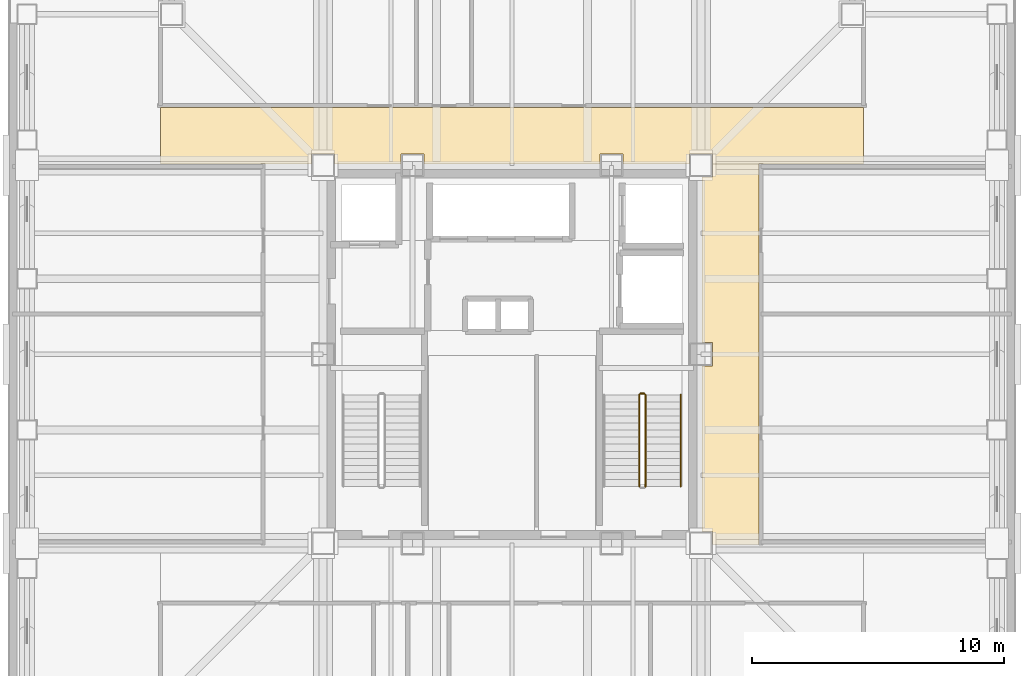
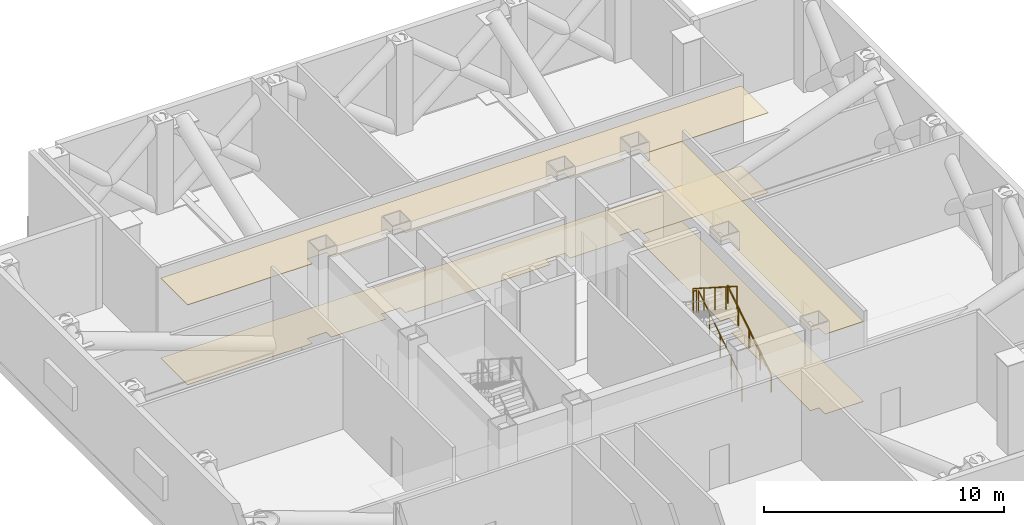
# One storey, part 9 of 10: 4 coverings, 4 railings.
"""IFC4 building model written with IfcOpenShell, lengths in metres."""

from ifc_helpers import new_model, si_unit, direction, frame, origin, origin_2d, place, context, subcontext, project, spatial, polyline, circle, outline, extrude, material, layer, layer_set, type_object, element, save


model = new_model("IFC4")

# Units and contexts
model_context = context("Model", 3, precision=1e-05, world=origin(), true_north=direction((0.0, 1.0)))
body_context = subcontext(model_context, "Body", "Model", "MODEL_VIEW")
ifc_project = project(units=[si_unit("LENGTHUNIT", "METRE"), si_unit("AREAUNIT", "SQUARE_METRE"), si_unit("VOLUMEUNIT", "CUBIC_METRE"), si_unit("PLANEANGLEUNIT", "RADIAN"), si_unit("MASSUNIT", "GRAM", prefix="KILO")], contexts=[model_context])

# Site, building, storey
site_placement = place(None, origin())
site = spatial("IfcSite", under=ifc_project, at=site_placement, CompositionType="ELEMENT")
building_placement = place(site_placement, origin())
building = spatial("IfcBuilding", under=site, at=building_placement, Name="Trevonay Congress Spire", CompositionType="ELEMENT")
storey_placement = place(building_placement, frame((0.0, 0.0, 227.39990234375)))
storey = spatial("IfcBuildingStorey", under=building, at=storey_placement, Name="L59", CompositionType="ELEMENT", Elevation=227.39990234375)

# Coverings
ifc_material_1 = material(Name="Acoustic Mineral Fibre Board", Category="gypsum")
ifc_layer_1 = layer(ifc_material_1, 0.02490234375, Name="Acoustic Mineral Fibre Board")
ifc_layer_set_1 = layer_set([ifc_layer_1], Name="Acoustic Mineral Fibre Board")
covering_type_1 = type_object("IfcCoveringType", Name="COV-CEIL-ACOUSTIC", PredefinedType="CEILING", material=ifc_layer_set_1)
covering_1_placement = place(storey_placement, frame((0.0, 0.0, 4.050048828125)))
element("IfcCovering", 1, at=covering_1_placement, inside=storey, type_object=covering_type_1, Name="L59 Plant and Refuge Corridor North acoustic suspended ceiling", PredefinedType="CEILING", context=body_context, shape_type="SweptSolid", body=[
    extrude(outline(polyline([(-13.949951171875, 7.550048828125), (-13.949951171875, 9.800048828125), (13.949951171875, 9.800048828125), (13.949951171875, 7.550048828125), (7.9599609375, 7.550048828125), (7.9599609375, 7.9599609375), (7.0400390625, 7.9599609375), (7.0400390625, 7.550048828125), (4.409912109375, 7.550048828125), (4.409912109375, 7.9599609375), (3.489990234375, 7.9599609375), (3.489990234375, 7.550048828125), (-3.489990234375, 7.550048828125), (-3.489990234375, 7.9599609375), (-4.409912109375, 7.9599609375), (-4.409912109375, 7.550048828125), (-7.0400390625, 7.550048828125), (-7.0400390625, 7.9599609375), (-7.9599609375, 7.9599609375), (-7.9599609375, 7.550048828125), (-13.949951171875, 7.550048828125)])), origin(), (0.0, 0.0, 1.0), 0.025146484375),
])
covering_2_placement = place(storey_placement, frame((0.0, 0.0, 4.050048828125)))
element("IfcCovering", 2, at=covering_2_placement, inside=storey, type_object=covering_type_1, Name="L59 Plant and Refuge Corridor East acoustic suspended ceiling", PredefinedType="CEILING", context=body_context, shape_type="SweptSolid", body=[
    extrude(outline(polyline([(9.800048828125, -7.550048828125), (7.9599609375, -7.550048828125), (7.9599609375, -7.0400390625), (7.550048828125, -7.0400390625), (7.550048828125, -0.4599609375), (7.9599609375, -0.4599609375), (7.9599609375, 0.4599609375), (7.550048828125, 0.4599609375), (7.550048828125, 7.0400390625), (7.9599609375, 7.0400390625), (7.9599609375, 7.550048828125), (9.800048828125, 7.550048828125), (9.800048828125, -7.550048828125)])), origin(), (0.0, 0.0, 1.0), 0.025146484375),
])
ifc_material_2 = material(Name="Polished Granite Floor Tile", Category="masonry")
ifc_layer_2 = layer(ifc_material_2, 0.02001953125, Name="Polished Granite Floor Tile")
ifc_layer_set_2 = layer_set([ifc_layer_2], Name="Polished Granite Floor Tile")
covering_type_2 = type_object("IfcCoveringType", Name="COV-FLOOR-STONE", PredefinedType="FLOORING", material=ifc_layer_set_2)
covering_3_placement = place(storey_placement, origin())
element("IfcCovering", 3, at=covering_3_placement, inside=storey, type_object=covering_type_2, Name="L59 Plant and Refuge Corridor North floor finish", PredefinedType="FLOORING", context=body_context, shape_type="SweptSolid", body=[
    extrude(outline(polyline([(-13.949951171875, 7.550048828125), (-13.949951171875, 9.800048828125), (13.949951171875, 9.800048828125), (13.949951171875, 7.550048828125), (7.9599609375, 7.550048828125), (7.9599609375, 7.9599609375), (7.0400390625, 7.9599609375), (7.0400390625, 7.550048828125), (4.409912109375, 7.550048828125), (4.409912109375, 7.9599609375), (3.489990234375, 7.9599609375), (3.489990234375, 7.550048828125), (-3.489990234375, 7.550048828125), (-3.489990234375, 7.9599609375), (-4.409912109375, 7.9599609375), (-4.409912109375, 7.550048828125), (-7.0400390625, 7.550048828125), (-7.0400390625, 7.9599609375), (-7.9599609375, 7.9599609375), (-7.9599609375, 7.550048828125), (-13.949951171875, 7.550048828125)])), origin(), (0.0, 0.0, 1.0), 0.02001953125),
])
covering_4_placement = place(storey_placement, origin())
element("IfcCovering", 4, at=covering_4_placement, inside=storey, type_object=covering_type_2, Name="L59 Plant and Refuge Corridor East floor finish", PredefinedType="FLOORING", context=body_context, shape_type="SweptSolid", body=[
    extrude(outline(polyline([(9.800048828125, -7.550048828125), (7.9599609375, -7.550048828125), (7.9599609375, -7.0400390625), (7.550048828125, -7.0400390625), (7.550048828125, -0.4599609375), (7.9599609375, -0.4599609375), (7.9599609375, 0.4599609375), (7.550048828125, 0.4599609375), (7.550048828125, 7.0400390625), (7.9599609375, 7.0400390625), (7.9599609375, 7.550048828125), (9.800048828125, 7.550048828125), (9.800048828125, -7.550048828125)])), origin(), (0.0, 0.0, 1.0), 0.02001953125),
])

# Railings
ifc_material_3 = material(Name="Pale Anodised Aluminium EN AW-6063-T6", Category="aluminium")
railing_type_1 = type_object("IfcRailingType", Name="RAL-STAIR-GUARD-110", PredefinedType="GUARDRAIL", material=ifc_material_3)
railing_1_placement = place(storey_placement, frame((5.300048828125, -5.25, 0.1787109375)))
element("IfcRailing", 5, at=railing_1_placement, inside=storey, type_object=railing_type_1, Name="L59 ST-2 stair guard 1", PredefinedType="GUARDRAIL", context=body_context, shape_type="SweptSolid", body=[
    extrude(circle(Radius=0.02392578125, at=origin_2d()), frame((0.0, 0.0, 1.1259765625), z_axis=(0.0, 0.843137146238, 0.537698570422), x_axis=(-1.0, 0.0, 0.0)), (0.0, 0.0, 1.0), 4.317138671875),
    extrude(circle(Radius=0.02099609375, at=origin_2d()), origin(), (0.0, 0.0, 1.0), 1.101806640625),
    extrude(circle(Radius=0.02099609375, at=origin_2d()), frame((0.0, 0.909912109375, 0.580322265625)), (0.0, 0.0, 1.0), 1.101806640625),
    extrude(circle(Radius=0.02099609375, at=origin_2d()), frame((0.0, 1.81982421875, 1.16064453125)), (0.0, 0.0, 1.0), 1.101806640625),
    extrude(circle(Radius=0.02099609375, at=origin_2d()), frame((0.0, 2.72998046875, 1.740966796875)), (0.0, 0.0, 1.0), 1.101806640625),
    extrude(circle(Radius=0.02099609375, at=origin_2d()), frame((0.0, 3.639892578125, 2.3212890625)), (0.0, 0.0, 1.0), 1.101806640625),
])
railing_2_placement = place(storey_placement, frame((5.25, -1.56005859375, 2.5)))
element("IfcRailing", 6, at=railing_2_placement, inside=storey, type_object=railing_type_1, Name="L59 ST-2 stair guard 2", PredefinedType="GUARDRAIL", context=body_context, shape_type="SweptSolid", body=[
    extrude(circle(Radius=0.02392578125, at=origin_2d()), frame((0.0, 0.0, 1.1259765625), z_axis=(-1.0, 0.0, 0.0), x_axis=(0.0, -1.0, 0.0)), (0.0, 0.0, 1.0), 0.14990234375),
    extrude(circle(Radius=0.02099609375, at=origin_2d()), origin(), (0.0, 0.0, 1.0), 1.101806640625),
    extrude(circle(Radius=0.02099609375, at=origin_2d()), frame((-0.14990234375, 0.0, 0.0)), (0.0, 0.0, 1.0), 1.101806640625),
])
railing_3_placement = place(storey_placement, frame((5.050048828125, -1.610107421875, 2.6787109375)))
element("IfcRailing", 7, at=railing_3_placement, inside=storey, type_object=railing_type_1, Name="L59 ST-2 stair guard 3", PredefinedType="GUARDRAIL", context=body_context, shape_type="SweptSolid", body=[
    extrude(circle(Radius=0.02392578125, at=origin_2d()), frame((0.0, 0.0, 1.1259765625), z_axis=(0.0, -0.843137146238, 0.537698570422), x_axis=(1.0, 0.0, 0.0)), (0.0, 0.0, 1.0), 4.317138671875),
    extrude(circle(Radius=0.02099609375, at=origin_2d()), origin(), (0.0, 0.0, 1.0), 1.101806640625),
    extrude(circle(Radius=0.02099609375, at=origin_2d()), frame((0.0, -0.909912109375, 0.580322265625)), (0.0, 0.0, 1.0), 1.101806640625),
    extrude(circle(Radius=0.02099609375, at=origin_2d()), frame((0.0, -1.81982421875, 1.16064453125)), (0.0, 0.0, 1.0), 1.101806640625),
    extrude(circle(Radius=0.02099609375, at=origin_2d()), frame((0.0, -2.72998046875, 1.740966796875)), (0.0, 0.0, 1.0), 1.101806640625),
    extrude(circle(Radius=0.02099609375, at=origin_2d()), frame((0.0, -3.639892578125, 2.3212890625)), (0.0, 0.0, 1.0), 1.101806640625),
])
railing_type_2 = type_object("IfcRailingType", Name="RAL-STAIR-HANDRAIL", PredefinedType="HANDRAIL", material=ifc_material_3)
railing_4_placement = place(storey_placement, frame((6.699951171875, -5.25, 0.1787109375)))
element("IfcRailing", 8, at=railing_4_placement, inside=storey, type_object=railing_type_2, Name="L59 ST-2 stair handrail 1", PredefinedType="HANDRAIL", context=body_context, shape_type="SweptSolid", body=[
    extrude(circle(Radius=0.02392578125, at=origin_2d()), frame((0.0, 0.0, 0.8759765625), z_axis=(0.0, 0.843137146238, 0.537698570422), x_axis=(-1.0, 0.0, 0.0)), (0.0, 0.0, 1.0), 4.317138671875),
    extrude(circle(Radius=0.02099609375, at=origin_2d()), origin(), (0.0, 0.0, 1.0), 0.851806640625),
    extrude(circle(Radius=0.02099609375, at=origin_2d()), frame((0.0, 0.909912109375, 0.580322265625)), (0.0, 0.0, 1.0), 0.851806640625),
    extrude(circle(Radius=0.02099609375, at=origin_2d()), frame((0.0, 1.81982421875, 1.16064453125)), (0.0, 0.0, 1.0), 0.851806640625),
    extrude(circle(Radius=0.02099609375, at=origin_2d()), frame((0.0, 2.72998046875, 1.740966796875)), (0.0, 0.0, 1.0), 0.851806640625),
    extrude(circle(Radius=0.02099609375, at=origin_2d()), frame((0.0, 3.639892578125, 2.3212890625)), (0.0, 0.0, 1.0), 0.851806640625),
])

save(model, "model.ifc")
